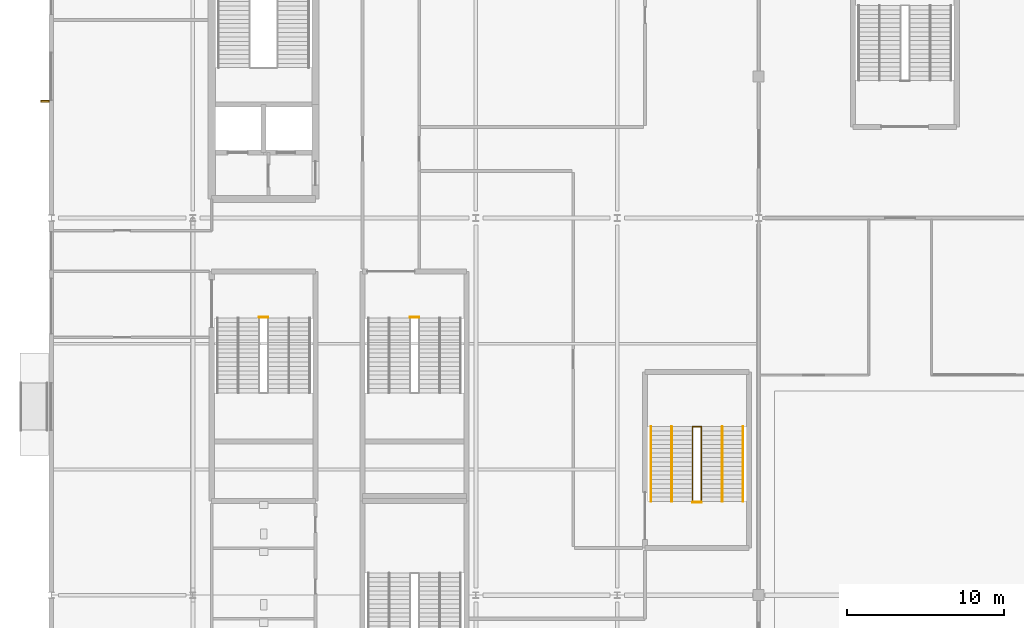
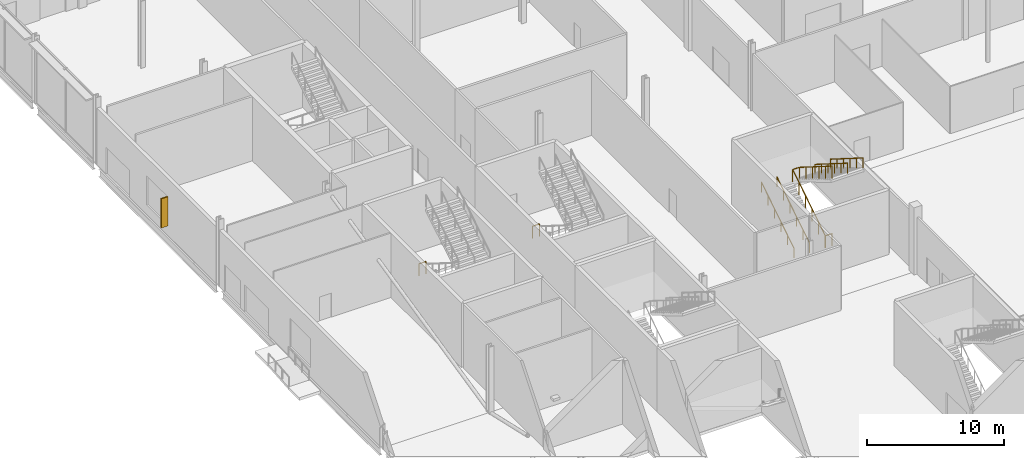
# One storey, part 73 of 84: 8 railings, 1 shading device.
"""IFC4 building model written with IfcOpenShell, lengths in metres."""

from ifc_helpers import new_model, si_unit, direction, frame, origin, origin_2d, place, context, subcontext, project, spatial, rectangle, circle, extrude, material, type_object, element, save


model = new_model("IFC4")

# Units and contexts
model_context = context("Model", 3, precision=1e-05, world=origin(), true_north=direction((0.0, 1.0)))
body_context = subcontext(model_context, "Body", "Model", "MODEL_VIEW")
ifc_project = project(units=[si_unit("LENGTHUNIT", "METRE"), si_unit("AREAUNIT", "SQUARE_METRE"), si_unit("VOLUMEUNIT", "CUBIC_METRE"), si_unit("PLANEANGLEUNIT", "RADIAN"), si_unit("MASSUNIT", "GRAM", prefix="KILO")], contexts=[model_context])

# Site, building, storey
site_placement = place(None, origin())
site = spatial("IfcSite", under=ifc_project, at=site_placement, CompositionType="ELEMENT")
building_placement = place(site_placement, origin())
building = spatial("IfcBuilding", under=site, at=building_placement, Name="Kisiwana Market Hall", CompositionType="ELEMENT")
storey_placement = place(building_placement, origin())
storey = spatial("IfcBuildingStorey", under=building, at=storey_placement, Name="L00", CompositionType="ELEMENT", Elevation=0.0)

# Railings
ifc_material_1 = material(Name="Steel S275", Category="steel")
railing_type_1 = type_object("IfcRailingType", Name="RL-GUARD-1100", PredefinedType="GUARDRAIL", material=ifc_material_1)
railing_1_placement = place(storey_placement, frame((13.219970703125, 77.68994140625, 0.0)))
element("IfcRailing", 1, at=railing_1_placement, inside=storey, type_object=railing_type_1, Name="Stair ST-W4-L00 landing edge guardrail (RL-190)", PredefinedType="GUARDRAIL", context=body_context, shape_type="SweptSolid", body=[
    extrude(circle(Radius=0.02392578125, at=origin_2d()), frame((0.0, 0.0, 1.076171875), z_axis=(1.0, 0.0, 0.0), x_axis=(0.0, 1.0, 0.0)), (0.0, 0.0, 1.0), 0.56005859375),
    extrude(circle(Radius=0.02099609375, at=origin_2d()), origin(), (0.0, 0.0, 1.0), 1.052001953125),
    extrude(circle(Radius=0.02099609375, at=origin_2d()), frame((0.56005859375, 0.0, 0.0)), (0.0, 0.0, 1.0), 1.052001953125),
])
railing_2_placement = place(storey_placement, frame((22.820068359375, 77.68994140625, 0.0)))
element("IfcRailing", 2, at=railing_2_placement, inside=storey, type_object=railing_type_1, Name="Stair ST-W8-L00 landing edge guardrail (RL-220)", PredefinedType="GUARDRAIL", context=body_context, shape_type="SweptSolid", body=[
    extrude(circle(Radius=0.02392578125, at=origin_2d()), frame((0.0, 0.0, 1.076171875), z_axis=(1.0, 0.0, 0.0), x_axis=(0.0, 1.0, 0.0)), (0.0, 0.0, 1.0), 0.559814453125),
    extrude(circle(Radius=0.02099609375, at=origin_2d()), origin(), (0.0, 0.0, 1.0), 1.052001953125),
    extrude(circle(Radius=0.02099609375, at=origin_2d()), frame((0.559814453125, 0.0, 0.0)), (0.0, 0.0, 1.0), 1.052001953125),
])
railing_3_placement = place(storey_placement, frame((40.7900390625, 65.9599609375, 0.0)))
element("IfcRailing", 3, at=railing_3_placement, inside=storey, type_object=railing_type_1, Name="Stair ST-W10-L00 inner-well guardrail (RL-239)", PredefinedType="GUARDRAIL", context=body_context, shape_type="SweptSolid", body=[
    extrude(circle(Radius=0.02392578125, at=origin_2d()), frame((0.0, 0.0, 1.076171875), z_axis=(0.0, 0.845995810448, 0.533189542944), x_axis=(-1.0, 0.0, 0.0)), (0.0, 0.0, 1.0), 5.62646484375),
    extrude(circle(Radius=0.02392578125, at=origin_2d()), frame((0.0, 4.760009765625, 4.076171875), z_axis=(1.0, 0.0, 0.0), x_axis=(0.0, 1.0, 0.0)), (0.0, 0.0, 1.0), 0.56005859375),
    extrude(circle(Radius=0.02392578125, at=origin_2d()), frame((0.56005859375, 4.760009765625, 4.076171875), z_axis=(0.0, -0.845995810448, 0.533189542944), x_axis=(1.0, 0.0, 0.0)), (0.0, 0.0, 1.0), 5.62646484375),
    extrude(circle(Radius=0.02099609375, at=origin_2d()), origin(), (0.0, 0.0, 1.0), 1.052001953125),
    extrude(circle(Radius=0.02099609375, at=origin_2d()), frame((0.0, 0.951904296875, 0.60009765625)), (0.0, 0.0, 1.0), 1.052001953125),
    extrude(circle(Radius=0.02099609375, at=origin_2d()), frame((0.0, 1.904052734375, 1.199951171875)), (0.0, 0.0, 1.0), 1.052001953125),
    extrude(circle(Radius=0.02099609375, at=origin_2d()), frame((0.0, 2.85595703125, 1.800048828125)), (0.0, 0.0, 1.0), 1.052001953125),
    extrude(circle(Radius=0.02099609375, at=origin_2d()), frame((0.0, 3.80810546875, 2.39990234375)), (0.0, 0.0, 1.0), 1.052001953125),
    extrude(circle(Radius=0.02099609375, at=origin_2d()), frame((0.0, 4.760009765625, 3.0)), (0.0, 0.0, 1.0), 1.052001953125),
    extrude(circle(Radius=0.02099609375, at=origin_2d()), frame((0.56005859375, 4.760009765625, 3.0)), (0.0, 0.0, 1.0), 1.052001953125),
    extrude(circle(Radius=0.02099609375, at=origin_2d()), frame((0.56005859375, 3.80810546875, 3.60009765625)), (0.0, 0.0, 1.0), 1.052001953125),
    extrude(circle(Radius=0.02099609375, at=origin_2d()), frame((0.56005859375, 2.85595703125, 4.199951171875)), (0.0, 0.0, 1.0), 1.052001953125),
    extrude(circle(Radius=0.02099609375, at=origin_2d()), frame((0.56005859375, 1.904052734375, 4.800048828125)), (0.0, 0.0, 1.0), 1.052001953125),
    extrude(circle(Radius=0.02099609375, at=origin_2d()), frame((0.56005859375, 0.951904296875, 5.39990234375)), (0.0, 0.0, 1.0), 1.052001953125),
    extrude(circle(Radius=0.02099609375, at=origin_2d()), frame((0.56005859375, 0.0, 6.0)), (0.0, 0.0, 1.0), 1.052001953125),
])
railing_4_placement = place(storey_placement, frame((40.7900390625, 65.909912109375, 0.0)))
element("IfcRailing", 4, at=railing_4_placement, inside=storey, type_object=railing_type_1, Name="Stair ST-W10-L00 landing edge guardrail (RL-244)", PredefinedType="GUARDRAIL", context=body_context, shape_type="SweptSolid", body=[
    extrude(circle(Radius=0.02392578125, at=origin_2d()), frame((0.0, 0.0, 1.076171875), z_axis=(1.0, 0.0, 0.0), x_axis=(0.0, 1.0, 0.0)), (0.0, 0.0, 1.0), 0.56005859375),
    extrude(circle(Radius=0.02099609375, at=origin_2d()), origin(), (0.0, 0.0, 1.0), 1.052001953125),
    extrude(circle(Radius=0.02099609375, at=origin_2d()), frame((0.56005859375, 0.0, 0.0)), (0.0, 0.0, 1.0), 1.052001953125),
])
ifc_material_2 = material(Name="Steel S275", Category="steel")
railing_type_2 = type_object("IfcRailingType", Name="RL-HAND-900", PredefinedType="HANDRAIL", material=ifc_material_2)
railing_5_placement = place(storey_placement, frame((38.139892578125, 65.9599609375, 0.0)))
element("IfcRailing", 5, at=railing_5_placement, inside=storey, type_object=railing_type_2, Name="Stair ST-W10-L00 flight 1 handrail (RL-240)", PredefinedType="HANDRAIL", context=body_context, shape_type="SweptSolid", body=[
    extrude(circle(Radius=0.02392578125, at=origin_2d()), frame((0.0, 0.0, 0.8759765625), z_axis=(0.0, 0.845995810448, 0.533189542944), x_axis=(-1.0, 0.0, 0.0)), (0.0, 0.0, 1.0), 5.62646484375),
    extrude(circle(Radius=0.02099609375, at=origin_2d()), origin(), (0.0, 0.0, 1.0), 0.851806640625),
    extrude(circle(Radius=0.02099609375, at=origin_2d()), frame((0.0, 0.951904296875, 0.60009765625)), (0.0, 0.0, 1.0), 0.851806640625),
    extrude(circle(Radius=0.02099609375, at=origin_2d()), frame((0.0, 1.904052734375, 1.199951171875)), (0.0, 0.0, 1.0), 0.851806640625),
    extrude(circle(Radius=0.02099609375, at=origin_2d()), frame((0.0, 2.85595703125, 1.800048828125)), (0.0, 0.0, 1.0), 0.851806640625),
    extrude(circle(Radius=0.02099609375, at=origin_2d()), frame((0.0, 3.80810546875, 2.39990234375)), (0.0, 0.0, 1.0), 0.851806640625),
    extrude(circle(Radius=0.02099609375, at=origin_2d()), frame((0.0, 4.760009765625, 3.0)), (0.0, 0.0, 1.0), 0.851806640625),
])
railing_6_placement = place(storey_placement, frame((44.0, 70.719970703125, 3.0)))
element("IfcRailing", 6, at=railing_6_placement, inside=storey, type_object=railing_type_2, Name="Stair ST-W10-L00 flight 2 handrail (RL-241)", PredefinedType="HANDRAIL", context=body_context, shape_type="SweptSolid", body=[
    extrude(circle(Radius=0.02392578125, at=origin_2d()), frame((0.0, 0.0, 0.8759765625), z_axis=(0.0, -0.845995810448, 0.533189542944), x_axis=(1.0, 0.0, 0.0)), (0.0, 0.0, 1.0), 5.62646484375),
    extrude(circle(Radius=0.02099609375, at=origin_2d()), origin(), (0.0, 0.0, 1.0), 0.851806640625),
    extrude(circle(Radius=0.02099609375, at=origin_2d()), frame((0.0, -0.951904296875, 0.60009765625)), (0.0, 0.0, 1.0), 0.851806640625),
    extrude(circle(Radius=0.02099609375, at=origin_2d()), frame((0.0, -1.904052734375, 1.199951171875)), (0.0, 0.0, 1.0), 0.851806640625),
    extrude(circle(Radius=0.02099609375, at=origin_2d()), frame((0.0, -2.85595703125, 1.800048828125)), (0.0, 0.0, 1.0), 0.851806640625),
    extrude(circle(Radius=0.02099609375, at=origin_2d()), frame((0.0, -3.80810546875, 2.39990234375)), (0.0, 0.0, 1.0), 0.851806640625),
    extrude(circle(Radius=0.02099609375, at=origin_2d()), frame((0.0, -4.760009765625, 3.0)), (0.0, 0.0, 1.0), 0.851806640625),
])
railing_7_placement = place(storey_placement, frame((39.4599609375, 65.9599609375, 0.0)))
element("IfcRailing", 7, at=railing_7_placement, inside=storey, type_object=railing_type_2, Name="Stair ST-W10-L00 flight 1 intermediate handrail (RL-242)", PredefinedType="HANDRAIL", context=body_context, shape_type="SweptSolid", body=[
    extrude(circle(Radius=0.02392578125, at=origin_2d()), frame((0.0, 0.0, 0.8759765625), z_axis=(0.0, 0.845995810448, 0.533189542944), x_axis=(-1.0, 0.0, 0.0)), (0.0, 0.0, 1.0), 5.62646484375),
    extrude(circle(Radius=0.02099609375, at=origin_2d()), origin(), (0.0, 0.0, 1.0), 0.851806640625),
    extrude(circle(Radius=0.02099609375, at=origin_2d()), frame((0.0, 0.951904296875, 0.60009765625)), (0.0, 0.0, 1.0), 0.851806640625),
    extrude(circle(Radius=0.02099609375, at=origin_2d()), frame((0.0, 1.904052734375, 1.199951171875)), (0.0, 0.0, 1.0), 0.851806640625),
    extrude(circle(Radius=0.02099609375, at=origin_2d()), frame((0.0, 2.85595703125, 1.800048828125)), (0.0, 0.0, 1.0), 0.851806640625),
    extrude(circle(Radius=0.02099609375, at=origin_2d()), frame((0.0, 3.80810546875, 2.39990234375)), (0.0, 0.0, 1.0), 0.851806640625),
    extrude(circle(Radius=0.02099609375, at=origin_2d()), frame((0.0, 4.760009765625, 3.0)), (0.0, 0.0, 1.0), 0.851806640625),
])
railing_8_placement = place(storey_placement, frame((42.679931640625, 70.719970703125, 3.0)))
element("IfcRailing", 8, at=railing_8_placement, inside=storey, type_object=railing_type_2, Name="Stair ST-W10-L00 flight 2 intermediate handrail (RL-243)", PredefinedType="HANDRAIL", context=body_context, shape_type="SweptSolid", body=[
    extrude(circle(Radius=0.02392578125, at=origin_2d()), frame((0.0, 0.0, 0.8759765625), z_axis=(0.0, -0.845995810448, 0.533189542944), x_axis=(1.0, 0.0, 0.0)), (0.0, 0.0, 1.0), 5.62646484375),
    extrude(circle(Radius=0.02099609375, at=origin_2d()), origin(), (0.0, 0.0, 1.0), 0.851806640625),
    extrude(circle(Radius=0.02099609375, at=origin_2d()), frame((0.0, -0.951904296875, 0.60009765625)), (0.0, 0.0, 1.0), 0.851806640625),
    extrude(circle(Radius=0.02099609375, at=origin_2d()), frame((0.0, -1.904052734375, 1.199951171875)), (0.0, 0.0, 1.0), 0.851806640625),
    extrude(circle(Radius=0.02099609375, at=origin_2d()), frame((0.0, -2.85595703125, 1.800048828125)), (0.0, 0.0, 1.0), 0.851806640625),
    extrude(circle(Radius=0.02099609375, at=origin_2d()), frame((0.0, -3.80810546875, 2.39990234375)), (0.0, 0.0, 1.0), 0.851806640625),
    extrude(circle(Radius=0.02099609375, at=origin_2d()), frame((0.0, -4.760009765625, 3.0)), (0.0, 0.0, 1.0), 0.851806640625),
])

# Shading device
ifc_material_3 = material(Name="Aluminium alloy 6063-T6", Category="aluminium")
shading_device_type = type_object("IfcShadingDeviceType", Name="SHD-SHUTTER-V", PredefinedType="SHUTTER", material=ifc_material_3)
shading_device_placement = place(storey_placement, frame((-0.419921875, 91.419921875, 0.849853515625), z_axis=(0.0, 0.0, 1.0), x_axis=(0.0, 1.0, 0.0)))
element("IfcShadingDevice", 9, at=shading_device_placement, inside=storey, type_object=shading_device_type, Name="Vertical solar fin SHD-002 SD-002", PredefinedType="SHUTTER", context=body_context, shape_type="SweptSolid", body=[
    extrude(rectangle(XDim=0.1201171875, YDim=0.550048828125, at=origin_2d()), origin(), (0.0, 0.0, 1.0), 2.60009765625),
])

save(model, "model.ifc")
